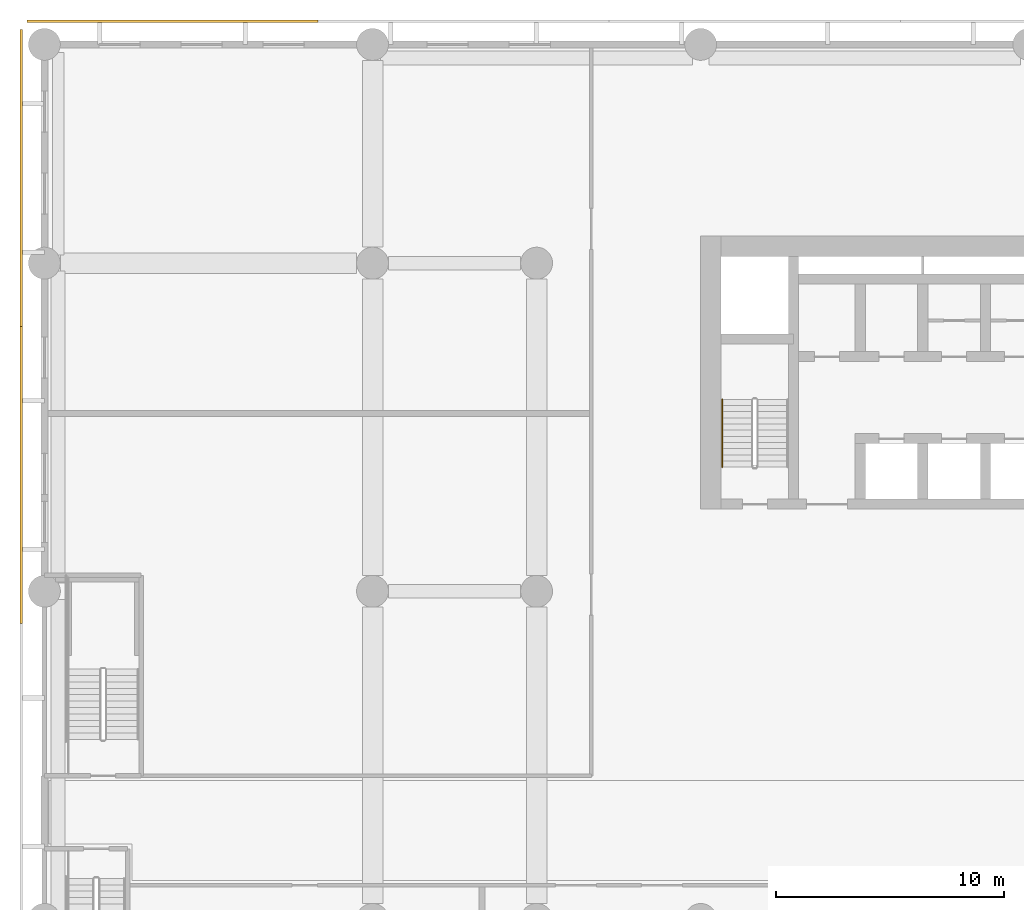
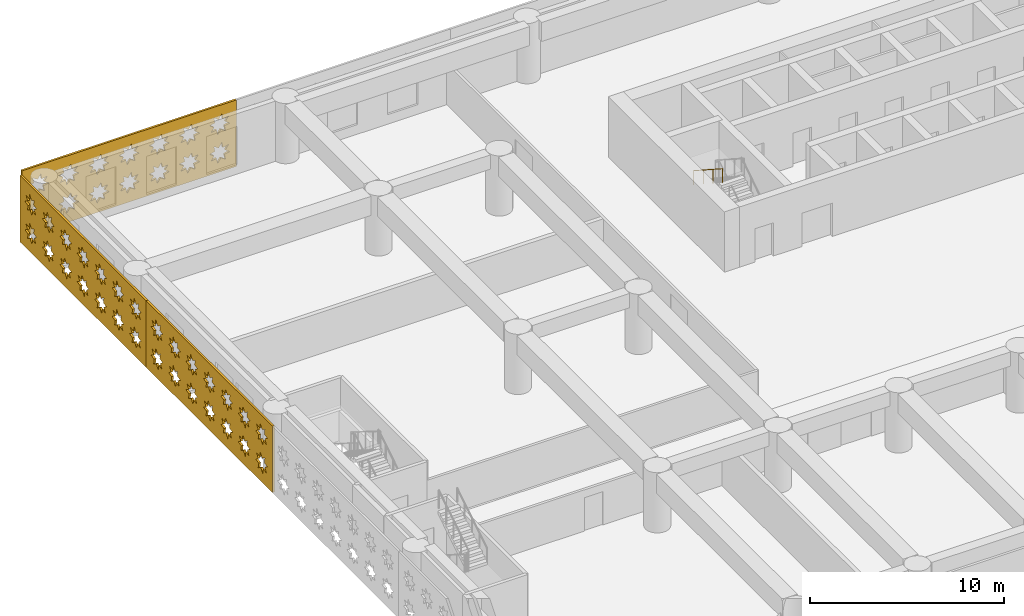
# One storey, part 18 of 23: 3 coverings, 1 railing.
"""IFC4 building model written with IfcOpenShell, lengths in metres."""

from ifc_helpers import new_model, si_unit, direction, frame, origin, origin_2d, place, context, subcontext, project, spatial, polyline, circle, outline, extrude, material, layer, layer_set, type_object, element, save


model = new_model("IFC4")

# Units and contexts
model_context = context("Model", 3, precision=1e-05, world=origin(), true_north=direction((0.0, 1.0)))
body_context = subcontext(model_context, "Body", "Model", "MODEL_VIEW")
ifc_project = project(units=[si_unit("LENGTHUNIT", "METRE"), si_unit("AREAUNIT", "SQUARE_METRE"), si_unit("VOLUMEUNIT", "CUBIC_METRE"), si_unit("PLANEANGLEUNIT", "RADIAN"), si_unit("MASSUNIT", "GRAM", prefix="KILO")], contexts=[model_context])

# Site, building, storey
site_placement = place(None, origin())
site = spatial("IfcSite", under=ifc_project, at=site_placement, CompositionType="ELEMENT")
building_placement = place(site_placement, origin())
building = spatial("IfcBuilding", under=site, at=building_placement, Name="Saffron Iwan Residences", CompositionType="ELEMENT")
storey_placement = place(building_placement, frame((0.0, 0.0, 17.39990234375)))
storey = spatial("IfcBuildingStorey", under=building, at=storey_placement, Name="L03", CompositionType="ELEMENT", Elevation=17.39990234375)

# Coverings
ifc_material_1 = material(Name="Terracotta screen, precast concrete C40/50", Category="masonry")
ifc_layer = layer(ifc_material_1, 0.1201171875)
ifc_layer_set = layer_set([ifc_layer], Name="Terracotta screen, precast concrete C40/50")
covering_type = type_object("IfcCoveringType", Name="PODIUM SCREEN GIRIH", PredefinedType="CLADDING", material=ifc_layer_set)
covering_1_placement = place(storey_placement, frame((12.007568359375, 87.35009765625, -0.39990234375), z_axis=(0.0, 1.0, 0.0), x_axis=(-1.0, 0.0, 0.0)))
element("IfcCovering", 1, at=covering_1_placement, inside=storey, type_object=covering_type, Name="SCREEN girih terracotta L03 F2.7", PredefinedType="CLADDING", context=body_context, shape_type="SweptSolid", body=[
    extrude(outline(polyline([(0.0, 0.0), (12.777587890625, 0.0), (12.777587890625, 4.199951171875), (0.0, 4.199951171875), (0.0, 0.0)]), holes=[polyline([(1.5966796875, 1.321044921875), (1.271484375, 1.388916015625), (1.333251953125, 1.715576171875), (1.05517578125, 1.533447265625), (0.867919921875, 1.80810546875), (0.7998046875, 1.482666015625), (0.47314453125, 1.54443359375), (0.6552734375, 1.266357421875), (0.380615234375, 1.0791015625), (0.7060546875, 1.010986328125), (0.644287109375, 0.6845703125), (0.92236328125, 0.866455078125), (1.109619140625, 0.591796875), (1.177490234375, 0.917236328125), (1.50439453125, 0.85546875), (1.322265625, 1.1337890625), (1.5966796875, 1.321044921875)]), polyline([(1.5966796875, 3.12109375), (1.271484375, 3.18896484375), (1.333251953125, 3.515380859375), (1.05517578125, 3.33349609375), (0.867919921875, 3.608154296875), (0.7998046875, 3.28271484375), (0.47314453125, 3.344482421875), (0.6552734375, 3.06640625), (0.380615234375, 2.87890625), (0.7060546875, 2.81103515625), (0.644287109375, 2.484619140625), (0.92236328125, 2.66650390625), (1.109619140625, 2.391845703125), (1.177490234375, 2.71728515625), (1.50439453125, 2.655517578125), (1.322265625, 2.93359375), (1.5966796875, 3.12109375)]), polyline([(3.396728515625, 1.321044921875), (3.0712890625, 1.388916015625), (3.13330078125, 1.715576171875), (2.85498046875, 1.533447265625), (2.667724609375, 1.80810546875), (2.599853515625, 1.482666015625), (2.273193359375, 1.54443359375), (2.455322265625, 1.266357421875), (2.1806640625, 1.0791015625), (2.506103515625, 1.010986328125), (2.4443359375, 0.6845703125), (2.722412109375, 0.866455078125), (2.90966796875, 0.591796875), (2.9775390625, 0.917236328125), (3.30419921875, 0.85546875), (3.122314453125, 1.1337890625), (3.396728515625, 1.321044921875)]), polyline([(3.396728515625, 3.12109375), (3.0712890625, 3.18896484375), (3.13330078125, 3.515380859375), (2.85498046875, 3.33349609375), (2.667724609375, 3.608154296875), (2.599853515625, 3.28271484375), (2.273193359375, 3.344482421875), (2.455322265625, 3.06640625), (2.1806640625, 2.87890625), (2.506103515625, 2.81103515625), (2.4443359375, 2.484619140625), (2.722412109375, 2.66650390625), (2.90966796875, 2.391845703125), (2.9775390625, 2.71728515625), (3.30419921875, 2.655517578125), (3.122314453125, 2.93359375), (3.396728515625, 3.12109375)]), polyline([(5.19677734375, 1.321044921875), (4.871337890625, 1.388916015625), (4.93310546875, 1.715576171875), (4.655029296875, 1.533447265625), (4.4677734375, 1.80810546875), (4.39990234375, 1.482666015625), (4.0732421875, 1.54443359375), (4.25537109375, 1.266357421875), (3.980712890625, 1.0791015625), (4.30615234375, 1.010986328125), (4.244384765625, 0.6845703125), (4.5224609375, 0.866455078125), (4.709716796875, 0.591796875), (4.777587890625, 0.917236328125), (5.104248046875, 0.85546875), (4.922119140625, 1.1337890625), (5.19677734375, 1.321044921875)]), polyline([(5.19677734375, 3.12109375), (4.871337890625, 3.18896484375), (4.93310546875, 3.515380859375), (4.655029296875, 3.33349609375), (4.4677734375, 3.608154296875), (4.39990234375, 3.28271484375), (4.0732421875, 3.344482421875), (4.25537109375, 3.06640625), (3.980712890625, 2.87890625), (4.30615234375, 2.81103515625), (4.244384765625, 2.484619140625), (4.5224609375, 2.66650390625), (4.709716796875, 2.391845703125), (4.777587890625, 2.71728515625), (5.104248046875, 2.655517578125), (4.922119140625, 2.93359375), (5.19677734375, 3.12109375)]), polyline([(6.996826171875, 1.321044921875), (6.67138671875, 1.388916015625), (6.733154296875, 1.715576171875), (6.455078125, 1.533447265625), (6.267822265625, 1.80810546875), (6.199951171875, 1.482666015625), (5.873291015625, 1.54443359375), (6.055419921875, 1.266357421875), (5.78076171875, 1.0791015625), (6.106201171875, 1.010986328125), (6.044189453125, 0.6845703125), (6.322509765625, 0.866455078125), (6.509765625, 0.591796875), (6.57763671875, 0.917236328125), (6.904296875, 0.85546875), (6.72216796875, 1.1337890625), (6.996826171875, 1.321044921875)]), polyline([(6.996826171875, 3.12109375), (6.67138671875, 3.18896484375), (6.733154296875, 3.515380859375), (6.455078125, 3.33349609375), (6.267822265625, 3.608154296875), (6.199951171875, 3.28271484375), (5.873291015625, 3.344482421875), (6.055419921875, 3.06640625), (5.78076171875, 2.87890625), (6.106201171875, 2.81103515625), (6.044189453125, 2.484619140625), (6.322509765625, 2.66650390625), (6.509765625, 2.391845703125), (6.57763671875, 2.71728515625), (6.904296875, 2.655517578125), (6.72216796875, 2.93359375), (6.996826171875, 3.12109375)]), polyline([(8.796875, 1.321044921875), (8.471435546875, 1.388916015625), (8.533203125, 1.715576171875), (8.255126953125, 1.533447265625), (8.06787109375, 1.80810546875), (8.0, 1.482666015625), (7.673095703125, 1.54443359375), (7.855224609375, 1.266357421875), (7.580810546875, 1.0791015625), (7.906005859375, 1.010986328125), (7.84423828125, 0.6845703125), (8.122314453125, 0.866455078125), (8.309814453125, 0.591796875), (8.377685546875, 0.917236328125), (8.704345703125, 0.85546875), (8.522216796875, 1.1337890625), (8.796875, 1.321044921875)]), polyline([(8.796875, 3.12109375), (8.471435546875, 3.18896484375), (8.533203125, 3.515380859375), (8.255126953125, 3.33349609375), (8.06787109375, 3.608154296875), (8.0, 3.28271484375), (7.673095703125, 3.344482421875), (7.855224609375, 3.06640625), (7.580810546875, 2.87890625), (7.906005859375, 2.81103515625), (7.84423828125, 2.484619140625), (8.122314453125, 2.66650390625), (8.309814453125, 2.391845703125), (8.377685546875, 2.71728515625), (8.704345703125, 2.655517578125), (8.522216796875, 2.93359375), (8.796875, 3.12109375)]), polyline([(10.5966796875, 1.321044921875), (10.271484375, 1.388916015625), (10.333251953125, 1.715576171875), (10.05517578125, 1.533447265625), (9.867919921875, 1.80810546875), (9.7998046875, 1.482666015625), (9.47314453125, 1.54443359375), (9.6552734375, 1.266357421875), (9.380615234375, 1.0791015625), (9.7060546875, 1.010986328125), (9.644287109375, 0.6845703125), (9.92236328125, 0.866455078125), (10.109619140625, 0.591796875), (10.177490234375, 0.917236328125), (10.50439453125, 0.85546875), (10.322265625, 1.1337890625), (10.5966796875, 1.321044921875)]), polyline([(10.5966796875, 3.12109375), (10.271484375, 3.18896484375), (10.333251953125, 3.515380859375), (10.05517578125, 3.33349609375), (9.867919921875, 3.608154296875), (9.7998046875, 3.28271484375), (9.47314453125, 3.344482421875), (9.6552734375, 3.06640625), (9.380615234375, 2.87890625), (9.7060546875, 2.81103515625), (9.644287109375, 2.484619140625), (9.92236328125, 2.66650390625), (10.109619140625, 2.391845703125), (10.177490234375, 2.71728515625), (10.50439453125, 2.655517578125), (10.322265625, 2.93359375), (10.5966796875, 3.12109375)]), polyline([(12.396728515625, 1.321044921875), (12.0712890625, 1.388916015625), (12.13330078125, 1.715576171875), (11.85498046875, 1.533447265625), (11.667724609375, 1.80810546875), (11.599853515625, 1.482666015625), (11.273193359375, 1.54443359375), (11.455322265625, 1.266357421875), (11.1806640625, 1.0791015625), (11.506103515625, 1.010986328125), (11.4443359375, 0.6845703125), (11.722412109375, 0.866455078125), (11.90966796875, 0.591796875), (11.9775390625, 0.917236328125), (12.30419921875, 0.85546875), (12.122314453125, 1.1337890625), (12.396728515625, 1.321044921875)]), polyline([(12.396728515625, 3.12109375), (12.0712890625, 3.18896484375), (12.13330078125, 3.515380859375), (11.85498046875, 3.33349609375), (11.667724609375, 3.608154296875), (11.599853515625, 3.28271484375), (11.273193359375, 3.344482421875), (11.455322265625, 3.06640625), (11.1806640625, 2.87890625), (11.506103515625, 2.81103515625), (11.4443359375, 2.484619140625), (11.722412109375, 2.66650390625), (11.90966796875, 2.391845703125), (11.9775390625, 2.71728515625), (12.30419921875, 2.655517578125), (12.122314453125, 2.93359375), (12.396728515625, 3.12109375)])]), origin(), (0.0, 0.0, 1.0), 0.119873046875),
])
covering_2_placement = place(storey_placement, frame((-0.949951171875, 87.050048828125, -0.39990234375), z_axis=(-1.0, 0.0, 0.0), x_axis=(0.0, -1.0, 0.0)))
element("IfcCovering", 2, at=covering_2_placement, inside=storey, type_object=covering_type, Name="SCREEN girih terracotta L03 F3.0", PredefinedType="CLADDING", context=body_context, shape_type="SweptSolid", body=[
    extrude(outline(polyline([(0.0, 0.0), (13.03662109375, 0.0), (13.03662109375, 4.199951171875), (0.0, 4.199951171875), (0.0, 0.0)]), holes=[polyline([(1.726318359375, 1.321044921875), (1.40087890625, 1.388916015625), (1.462890625, 1.715576171875), (1.184814453125, 1.533447265625), (0.997314453125, 1.80810546875), (0.929443359375, 1.482666015625), (0.602783203125, 1.54443359375), (0.784912109375, 1.266357421875), (0.51025390625, 1.0791015625), (0.835693359375, 1.010986328125), (0.77392578125, 0.6845703125), (1.052001953125, 0.866455078125), (1.2392578125, 0.591796875), (1.30712890625, 0.917236328125), (1.6337890625, 0.85546875), (1.451904296875, 1.1337890625), (1.726318359375, 1.321044921875)]), polyline([(1.726318359375, 3.12109375), (1.40087890625, 3.18896484375), (1.462890625, 3.515380859375), (1.184814453125, 3.33349609375), (0.997314453125, 3.608154296875), (0.929443359375, 3.28271484375), (0.602783203125, 3.344482421875), (0.784912109375, 3.06640625), (0.51025390625, 2.87890625), (0.835693359375, 2.81103515625), (0.77392578125, 2.484619140625), (1.052001953125, 2.66650390625), (1.2392578125, 2.391845703125), (1.30712890625, 2.71728515625), (1.6337890625, 2.655517578125), (1.451904296875, 2.93359375), (1.726318359375, 3.12109375)]), polyline([(3.5263671875, 1.321044921875), (3.200927734375, 1.388916015625), (3.2626953125, 1.715576171875), (2.984619140625, 1.533447265625), (2.79736328125, 1.80810546875), (2.7294921875, 1.482666015625), (2.40283203125, 1.54443359375), (2.5849609375, 1.266357421875), (2.310302734375, 1.0791015625), (2.635498046875, 1.010986328125), (2.573974609375, 0.6845703125), (2.85205078125, 0.866455078125), (3.039306640625, 0.591796875), (3.107177734375, 0.917236328125), (3.433837890625, 0.85546875), (3.251708984375, 1.1337890625), (3.5263671875, 1.321044921875)]), polyline([(3.5263671875, 3.12109375), (3.200927734375, 3.18896484375), (3.2626953125, 3.515380859375), (2.984619140625, 3.33349609375), (2.79736328125, 3.608154296875), (2.7294921875, 3.28271484375), (2.40283203125, 3.344482421875), (2.5849609375, 3.06640625), (2.310302734375, 2.87890625), (2.635498046875, 2.81103515625), (2.573974609375, 2.484619140625), (2.85205078125, 2.66650390625), (3.039306640625, 2.391845703125), (3.107177734375, 2.71728515625), (3.433837890625, 2.655517578125), (3.251708984375, 2.93359375), (3.5263671875, 3.12109375)]), polyline([(5.326416015625, 1.321044921875), (5.0009765625, 1.388916015625), (5.062744140625, 1.715576171875), (4.78466796875, 1.533447265625), (4.597412109375, 1.80810546875), (4.529296875, 1.482666015625), (4.202880859375, 1.54443359375), (4.385009765625, 1.266357421875), (4.110107421875, 1.0791015625), (4.435546875, 1.010986328125), (4.373779296875, 0.6845703125), (4.652099609375, 0.866455078125), (4.83935546875, 0.591796875), (4.9072265625, 0.917236328125), (5.23388671875, 0.85546875), (5.0517578125, 1.1337890625), (5.326416015625, 1.321044921875)]), polyline([(5.326416015625, 3.12109375), (5.0009765625, 3.18896484375), (5.062744140625, 3.515380859375), (4.78466796875, 3.33349609375), (4.597412109375, 3.608154296875), (4.529296875, 3.28271484375), (4.202880859375, 3.344482421875), (4.385009765625, 3.06640625), (4.110107421875, 2.87890625), (4.435546875, 2.81103515625), (4.373779296875, 2.484619140625), (4.652099609375, 2.66650390625), (4.83935546875, 2.391845703125), (4.9072265625, 2.71728515625), (5.23388671875, 2.655517578125), (5.0517578125, 2.93359375), (5.326416015625, 3.12109375)]), polyline([(7.12646484375, 1.321044921875), (6.801025390625, 1.388916015625), (6.86279296875, 1.715576171875), (6.584716796875, 1.533447265625), (6.3974609375, 1.80810546875), (6.329345703125, 1.482666015625), (6.002685546875, 1.54443359375), (6.184814453125, 1.266357421875), (5.91015625, 1.0791015625), (6.235595703125, 1.010986328125), (6.173828125, 0.6845703125), (6.451904296875, 0.866455078125), (6.639404296875, 0.591796875), (6.707275390625, 0.917236328125), (7.03369140625, 0.85546875), (6.851806640625, 1.1337890625), (7.12646484375, 1.321044921875)]), polyline([(7.12646484375, 3.12109375), (6.801025390625, 3.18896484375), (6.86279296875, 3.515380859375), (6.584716796875, 3.33349609375), (6.3974609375, 3.608154296875), (6.329345703125, 3.28271484375), (6.002685546875, 3.344482421875), (6.184814453125, 3.06640625), (5.91015625, 2.87890625), (6.235595703125, 2.81103515625), (6.173828125, 2.484619140625), (6.451904296875, 2.66650390625), (6.639404296875, 2.391845703125), (6.707275390625, 2.71728515625), (7.03369140625, 2.655517578125), (6.851806640625, 2.93359375), (7.12646484375, 3.12109375)]), polyline([(8.926513671875, 1.321044921875), (8.60107421875, 1.388916015625), (8.662841796875, 1.715576171875), (8.384765625, 1.533447265625), (8.197509765625, 1.80810546875), (8.12939453125, 1.482666015625), (7.802734375, 1.54443359375), (7.98486328125, 1.266357421875), (7.710205078125, 1.0791015625), (8.03564453125, 1.010986328125), (7.973876953125, 0.6845703125), (8.251953125, 0.866455078125), (8.439208984375, 0.591796875), (8.507080078125, 0.917236328125), (8.833740234375, 0.85546875), (8.65185546875, 1.1337890625), (8.926513671875, 1.321044921875)]), polyline([(8.926513671875, 3.12109375), (8.60107421875, 3.18896484375), (8.662841796875, 3.515380859375), (8.384765625, 3.33349609375), (8.197509765625, 3.608154296875), (8.12939453125, 3.28271484375), (7.802734375, 3.344482421875), (7.98486328125, 3.06640625), (7.710205078125, 2.87890625), (8.03564453125, 2.81103515625), (7.973876953125, 2.484619140625), (8.251953125, 2.66650390625), (8.439208984375, 2.391845703125), (8.507080078125, 2.71728515625), (8.833740234375, 2.655517578125), (8.65185546875, 2.93359375), (8.926513671875, 3.12109375)]), polyline([(10.726318359375, 1.321044921875), (10.40087890625, 1.388916015625), (10.462890625, 1.715576171875), (10.184814453125, 1.533447265625), (9.997314453125, 1.80810546875), (9.929443359375, 1.482666015625), (9.602783203125, 1.54443359375), (9.784912109375, 1.266357421875), (9.51025390625, 1.0791015625), (9.835693359375, 1.010986328125), (9.77392578125, 0.6845703125), (10.052001953125, 0.866455078125), (10.2392578125, 0.591796875), (10.30712890625, 0.917236328125), (10.6337890625, 0.85546875), (10.451904296875, 1.1337890625), (10.726318359375, 1.321044921875)]), polyline([(10.726318359375, 3.12109375), (10.40087890625, 3.18896484375), (10.462890625, 3.515380859375), (10.184814453125, 3.33349609375), (9.997314453125, 3.608154296875), (9.929443359375, 3.28271484375), (9.602783203125, 3.344482421875), (9.784912109375, 3.06640625), (9.51025390625, 2.87890625), (9.835693359375, 2.81103515625), (9.77392578125, 2.484619140625), (10.052001953125, 2.66650390625), (10.2392578125, 2.391845703125), (10.30712890625, 2.71728515625), (10.6337890625, 2.655517578125), (10.451904296875, 2.93359375), (10.726318359375, 3.12109375)]), polyline([(12.5263671875, 1.321044921875), (12.200927734375, 1.388916015625), (12.2626953125, 1.715576171875), (11.984619140625, 1.533447265625), (11.79736328125, 1.80810546875), (11.7294921875, 1.482666015625), (11.40283203125, 1.54443359375), (11.5849609375, 1.266357421875), (11.310302734375, 1.0791015625), (11.635498046875, 1.010986328125), (11.573974609375, 0.6845703125), (11.85205078125, 0.866455078125), (12.039306640625, 0.591796875), (12.107177734375, 0.917236328125), (12.433837890625, 0.85546875), (12.251708984375, 1.1337890625), (12.5263671875, 1.321044921875)]), polyline([(12.5263671875, 3.12109375), (12.200927734375, 3.18896484375), (12.2626953125, 3.515380859375), (11.984619140625, 3.33349609375), (11.79736328125, 3.608154296875), (11.7294921875, 3.28271484375), (11.40283203125, 3.344482421875), (11.5849609375, 3.06640625), (11.310302734375, 2.87890625), (11.635498046875, 2.81103515625), (11.573974609375, 2.484619140625), (11.85205078125, 2.66650390625), (12.039306640625, 2.391845703125), (12.107177734375, 2.71728515625), (12.433837890625, 2.655517578125), (12.251708984375, 2.93359375), (12.5263671875, 3.12109375)])]), origin(), (0.0, 0.0, 1.0), 0.1201171875),
])
covering_3_placement = place(storey_placement, frame((-0.949951171875, 74.01318359375, -0.39990234375), z_axis=(-1.0, 0.0, 0.0), x_axis=(0.0, -1.0, 0.0)))
element("IfcCovering", 3, at=covering_3_placement, inside=storey, type_object=covering_type, Name="SCREEN girih terracotta L03 F3.1", PredefinedType="CLADDING", context=body_context, shape_type="SweptSolid", body=[
    extrude(outline(polyline([(0.0, 0.0), (13.03662109375, 0.0), (13.03662109375, 4.199951171875), (0.0, 4.199951171875), (0.0, 0.0)]), holes=[polyline([(1.726318359375, 1.321044921875), (1.40087890625, 1.388916015625), (1.462890625, 1.715576171875), (1.184814453125, 1.533447265625), (0.997314453125, 1.80810546875), (0.929443359375, 1.482666015625), (0.602783203125, 1.54443359375), (0.784912109375, 1.266357421875), (0.51025390625, 1.0791015625), (0.835693359375, 1.010986328125), (0.77392578125, 0.6845703125), (1.052001953125, 0.866455078125), (1.2392578125, 0.591796875), (1.30712890625, 0.917236328125), (1.6337890625, 0.85546875), (1.451904296875, 1.1337890625), (1.726318359375, 1.321044921875)]), polyline([(1.726318359375, 3.12109375), (1.40087890625, 3.18896484375), (1.462890625, 3.515380859375), (1.184814453125, 3.33349609375), (0.997314453125, 3.608154296875), (0.929443359375, 3.28271484375), (0.602783203125, 3.344482421875), (0.784912109375, 3.06640625), (0.51025390625, 2.87890625), (0.835693359375, 2.81103515625), (0.77392578125, 2.484619140625), (1.052001953125, 2.66650390625), (1.2392578125, 2.391845703125), (1.30712890625, 2.71728515625), (1.6337890625, 2.655517578125), (1.451904296875, 2.93359375), (1.726318359375, 3.12109375)]), polyline([(3.5263671875, 1.321044921875), (3.200927734375, 1.388916015625), (3.2626953125, 1.715576171875), (2.984619140625, 1.533447265625), (2.79736328125, 1.80810546875), (2.7294921875, 1.482666015625), (2.40283203125, 1.54443359375), (2.5849609375, 1.266357421875), (2.310302734375, 1.0791015625), (2.635498046875, 1.010986328125), (2.573974609375, 0.6845703125), (2.85205078125, 0.866455078125), (3.039306640625, 0.591796875), (3.107177734375, 0.917236328125), (3.433837890625, 0.85546875), (3.251708984375, 1.1337890625), (3.5263671875, 1.321044921875)]), polyline([(3.5263671875, 3.12109375), (3.200927734375, 3.18896484375), (3.2626953125, 3.515380859375), (2.984619140625, 3.33349609375), (2.79736328125, 3.608154296875), (2.7294921875, 3.28271484375), (2.40283203125, 3.344482421875), (2.5849609375, 3.06640625), (2.310302734375, 2.87890625), (2.635498046875, 2.81103515625), (2.573974609375, 2.484619140625), (2.85205078125, 2.66650390625), (3.039306640625, 2.391845703125), (3.107177734375, 2.71728515625), (3.433837890625, 2.655517578125), (3.251708984375, 2.93359375), (3.5263671875, 3.12109375)]), polyline([(5.326416015625, 1.321044921875), (5.0009765625, 1.388916015625), (5.062744140625, 1.715576171875), (4.78466796875, 1.533447265625), (4.597412109375, 1.80810546875), (4.529296875, 1.482666015625), (4.202880859375, 1.54443359375), (4.385009765625, 1.266357421875), (4.110107421875, 1.0791015625), (4.435546875, 1.010986328125), (4.373779296875, 0.6845703125), (4.652099609375, 0.866455078125), (4.83935546875, 0.591796875), (4.9072265625, 0.917236328125), (5.23388671875, 0.85546875), (5.0517578125, 1.1337890625), (5.326416015625, 1.321044921875)]), polyline([(5.326416015625, 3.12109375), (5.0009765625, 3.18896484375), (5.062744140625, 3.515380859375), (4.78466796875, 3.33349609375), (4.597412109375, 3.608154296875), (4.529296875, 3.28271484375), (4.202880859375, 3.344482421875), (4.385009765625, 3.06640625), (4.110107421875, 2.87890625), (4.435546875, 2.81103515625), (4.373779296875, 2.484619140625), (4.652099609375, 2.66650390625), (4.83935546875, 2.391845703125), (4.9072265625, 2.71728515625), (5.23388671875, 2.655517578125), (5.0517578125, 2.93359375), (5.326416015625, 3.12109375)]), polyline([(7.12646484375, 1.321044921875), (6.801025390625, 1.388916015625), (6.86279296875, 1.715576171875), (6.584716796875, 1.533447265625), (6.3974609375, 1.80810546875), (6.329345703125, 1.482666015625), (6.002685546875, 1.54443359375), (6.184814453125, 1.266357421875), (5.91015625, 1.0791015625), (6.235595703125, 1.010986328125), (6.173828125, 0.6845703125), (6.451904296875, 0.866455078125), (6.639404296875, 0.591796875), (6.707275390625, 0.917236328125), (7.03369140625, 0.85546875), (6.851806640625, 1.1337890625), (7.12646484375, 1.321044921875)]), polyline([(7.12646484375, 3.12109375), (6.801025390625, 3.18896484375), (6.86279296875, 3.515380859375), (6.584716796875, 3.33349609375), (6.3974609375, 3.608154296875), (6.329345703125, 3.28271484375), (6.002685546875, 3.344482421875), (6.184814453125, 3.06640625), (5.91015625, 2.87890625), (6.235595703125, 2.81103515625), (6.173828125, 2.484619140625), (6.451904296875, 2.66650390625), (6.639404296875, 2.391845703125), (6.707275390625, 2.71728515625), (7.03369140625, 2.655517578125), (6.851806640625, 2.93359375), (7.12646484375, 3.12109375)]), polyline([(8.926513671875, 1.321044921875), (8.60107421875, 1.388916015625), (8.662841796875, 1.715576171875), (8.384765625, 1.533447265625), (8.197509765625, 1.80810546875), (8.12939453125, 1.482666015625), (7.802734375, 1.54443359375), (7.98486328125, 1.266357421875), (7.710205078125, 1.0791015625), (8.03564453125, 1.010986328125), (7.973876953125, 0.6845703125), (8.251953125, 0.866455078125), (8.439208984375, 0.591796875), (8.507080078125, 0.917236328125), (8.833740234375, 0.85546875), (8.65185546875, 1.1337890625), (8.926513671875, 1.321044921875)]), polyline([(8.926513671875, 3.12109375), (8.60107421875, 3.18896484375), (8.662841796875, 3.515380859375), (8.384765625, 3.33349609375), (8.197509765625, 3.608154296875), (8.12939453125, 3.28271484375), (7.802734375, 3.344482421875), (7.98486328125, 3.06640625), (7.710205078125, 2.87890625), (8.03564453125, 2.81103515625), (7.973876953125, 2.484619140625), (8.251953125, 2.66650390625), (8.439208984375, 2.391845703125), (8.507080078125, 2.71728515625), (8.833740234375, 2.655517578125), (8.65185546875, 2.93359375), (8.926513671875, 3.12109375)]), polyline([(10.726318359375, 1.321044921875), (10.40087890625, 1.388916015625), (10.462890625, 1.715576171875), (10.184814453125, 1.533447265625), (9.997314453125, 1.80810546875), (9.929443359375, 1.482666015625), (9.602783203125, 1.54443359375), (9.784912109375, 1.266357421875), (9.51025390625, 1.0791015625), (9.835693359375, 1.010986328125), (9.77392578125, 0.6845703125), (10.052001953125, 0.866455078125), (10.2392578125, 0.591796875), (10.30712890625, 0.917236328125), (10.6337890625, 0.85546875), (10.451904296875, 1.1337890625), (10.726318359375, 1.321044921875)]), polyline([(10.726318359375, 3.12109375), (10.40087890625, 3.18896484375), (10.462890625, 3.515380859375), (10.184814453125, 3.33349609375), (9.997314453125, 3.608154296875), (9.929443359375, 3.28271484375), (9.602783203125, 3.344482421875), (9.784912109375, 3.06640625), (9.51025390625, 2.87890625), (9.835693359375, 2.81103515625), (9.77392578125, 2.484619140625), (10.052001953125, 2.66650390625), (10.2392578125, 2.391845703125), (10.30712890625, 2.71728515625), (10.6337890625, 2.655517578125), (10.451904296875, 2.93359375), (10.726318359375, 3.12109375)]), polyline([(12.5263671875, 1.321044921875), (12.200927734375, 1.388916015625), (12.2626953125, 1.715576171875), (11.984619140625, 1.533447265625), (11.79736328125, 1.80810546875), (11.7294921875, 1.482666015625), (11.40283203125, 1.54443359375), (11.5849609375, 1.266357421875), (11.310302734375, 1.0791015625), (11.635498046875, 1.010986328125), (11.573974609375, 0.6845703125), (11.85205078125, 0.866455078125), (12.039306640625, 0.591796875), (12.107177734375, 0.917236328125), (12.433837890625, 0.85546875), (12.251708984375, 1.1337890625), (12.5263671875, 1.321044921875)]), polyline([(12.5263671875, 3.12109375), (12.200927734375, 3.18896484375), (12.2626953125, 3.515380859375), (11.984619140625, 3.33349609375), (11.79736328125, 3.608154296875), (11.7294921875, 3.28271484375), (11.40283203125, 3.344482421875), (11.5849609375, 3.06640625), (11.310302734375, 2.87890625), (11.635498046875, 2.81103515625), (11.573974609375, 2.484619140625), (11.85205078125, 2.66650390625), (12.039306640625, 2.391845703125), (12.107177734375, 2.71728515625), (12.433837890625, 2.655517578125), (12.251708984375, 2.93359375), (12.5263671875, 3.12109375)])]), origin(), (0.0, 0.0, 1.0), 0.1201171875),
])

# Railing
ifc_material_2 = material(Name="Stainless steel 316", Category="steel")
railing_type = type_object("IfcRailingType", Name="Stair handrail 900", PredefinedType="HANDRAIL", material=ifc_material_2)
railing_placement = place(storey_placement, frame((29.75, 70.820068359375, 2.275146484375)))
element("IfcRailing", 4, at=railing_placement, inside=storey, type_object=railing_type, Name="L03 ST-W stair handrail 2", PredefinedType="HANDRAIL", context=body_context, shape_type="SweptSolid", body=[
    extrude(circle(Radius=0.02392578125, at=origin_2d()), frame((0.0, 0.0, 0.8759765625), z_axis=(0.0, -0.83914424107, 0.543908947048), x_axis=(1.0, 0.0, 0.0)), (0.0, 0.0, 1.0), 3.539306640625),
    extrude(circle(Radius=0.02099609375, at=origin_2d()), origin(), (0.0, 0.0, 1.0), 0.851806640625),
    extrude(circle(Radius=0.02099609375, at=origin_2d()), frame((0.0, -0.989990234375, 0.6416015625)), (0.0, 0.0, 1.0), 0.851806640625),
    extrude(circle(Radius=0.02099609375, at=origin_2d()), frame((0.0, -1.97998046875, 1.283447265625)), (0.0, 0.0, 1.0), 0.851806640625),
    extrude(circle(Radius=0.02099609375, at=origin_2d()), frame((0.0, -2.969970703125, 1.925048828125)), (0.0, 0.0, 1.0), 0.851806640625),
])

save(model, "model.ifc")
